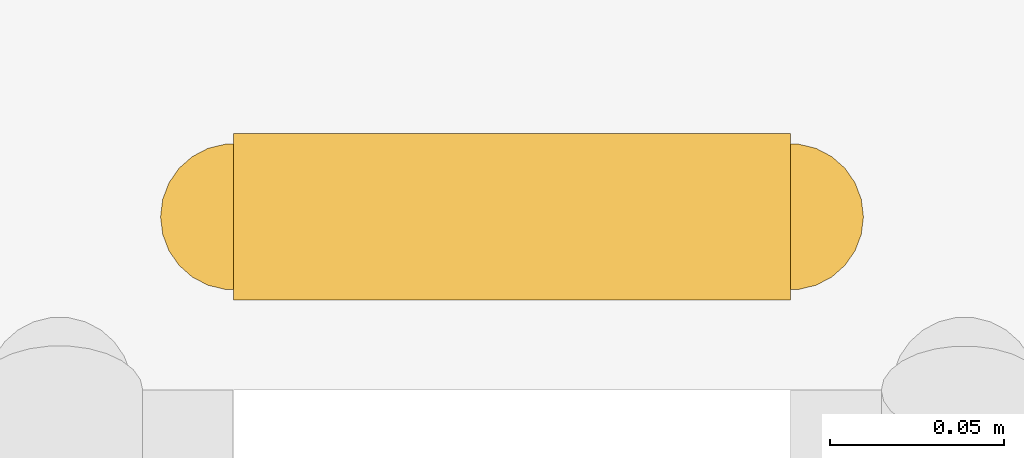
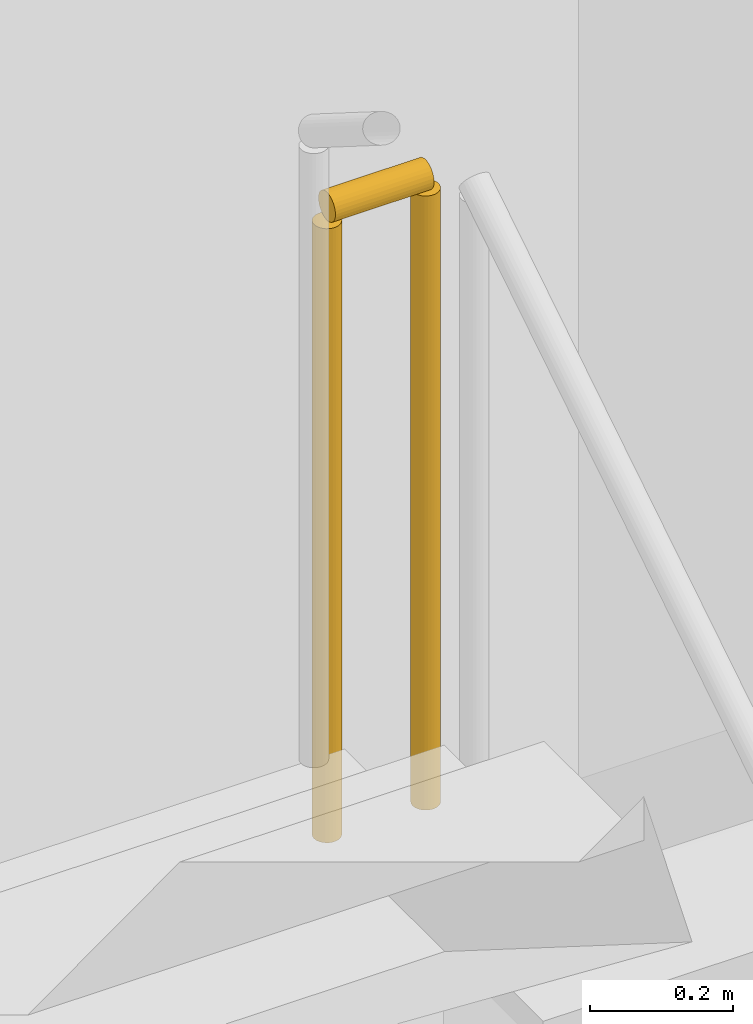
# One storey, part 132 of 155: 1 railing.
"""IFC4 building model written with IfcOpenShell, lengths in metres."""

from ifc_helpers import new_model, si_unit, direction, frame, origin, origin_2d, place, context, subcontext, project, spatial, circle, extrude, material, type_object, element, save


model = new_model("IFC4")

# Units and contexts
model_context = context("Model", 3, precision=1e-05, world=origin(), true_north=direction((0.0, 1.0)))
body_context = subcontext(model_context, "Body", "Model", "MODEL_VIEW")
ifc_project = project(units=[si_unit("LENGTHUNIT", "METRE"), si_unit("AREAUNIT", "SQUARE_METRE"), si_unit("VOLUMEUNIT", "CUBIC_METRE"), si_unit("PLANEANGLEUNIT", "RADIAN"), si_unit("MASSUNIT", "GRAM", prefix="KILO")], contexts=[model_context])

# Site, building, storey
site_placement = place(None, origin())
site = spatial("IfcSite", under=ifc_project, at=site_placement, CompositionType="ELEMENT")
building_placement = place(site_placement, origin())
building = spatial("IfcBuilding", under=site, at=building_placement, Name="Lunette Opera House", CompositionType="ELEMENT")
storey_placement = place(building_placement, origin())
storey = spatial("IfcBuildingStorey", under=building, at=storey_placement, Name="L00", CompositionType="ELEMENT", Elevation=0.0)

# Railing
ifc_material = material(Name="Steel S355", Category="steel")
railing_type = type_object("IfcRailingType", Name="STAIR GUARD 1100", PredefinedType="GUARDRAIL", material=ifc_material)
railing_placement = place(storey_placement, frame((78.780029296875, 71.14990234375, 3.0)))
element("IfcRailing", 1, at=railing_placement, inside=storey, type_object=railing_type, Name="L00 ST7 stair guard 2", PredefinedType="GUARDRAIL", context=body_context, shape_type="SweptSolid", body=[
    extrude(circle(Radius=0.02392578125, at=origin_2d()), frame((0.0, 0.0, 1.076171875), z_axis=(-1.0, 0.0, 0.0), x_axis=(0.0, -1.0, 0.0)), (0.0, 0.0, 1.0), 0.159912109375),
    extrude(circle(Radius=0.02099609375, at=origin_2d()), origin(), (0.0, 0.0, 1.0), 1.052001953125),
    extrude(circle(Radius=0.02099609375, at=origin_2d()), frame((-0.159912109375, 0.0, 0.0)), (0.0, 0.0, 1.0), 1.052001953125),
])

save(model, "model.ifc")
